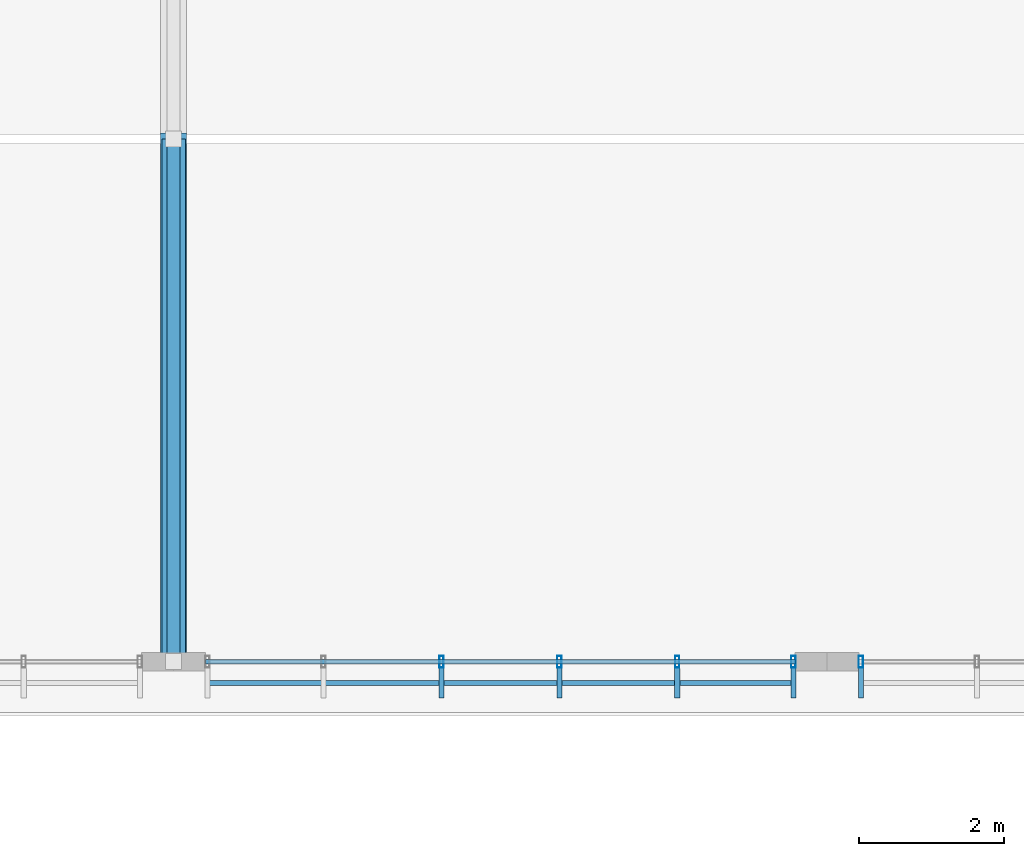
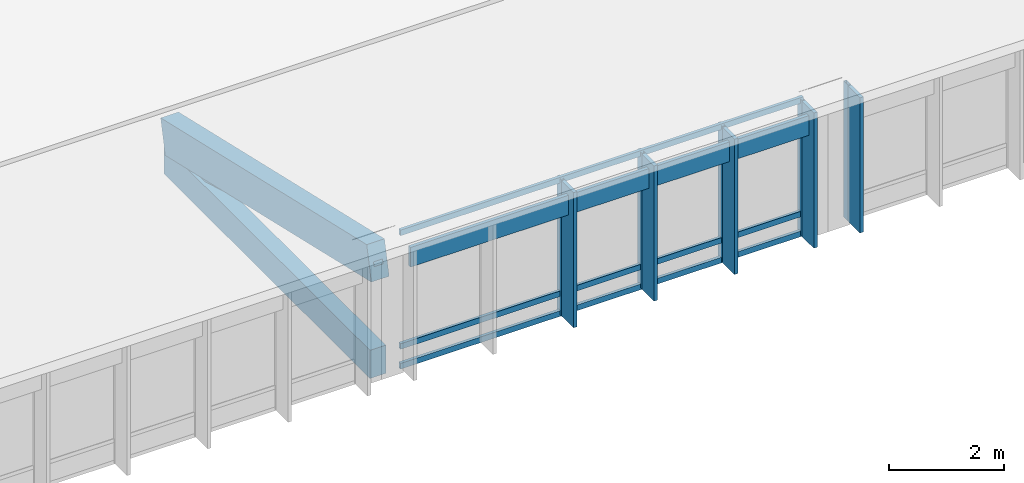
# One storey, part 49 of 182: 17 members, 2 elements without a shape of their own.
"""IFC4 building model written with IfcOpenShell, lengths in metres."""

from ifc_helpers import new_model, si_unit, direction, frame, origin, origin_2d, place, context, subcontext, project, spatial, rectangle, hollow_rectangle, extrude, material, material_profile, profile_set, type_object, element, aggregate, save


model = new_model("IFC4")

# Units and contexts
model_context = context("Model", 3, precision=1e-05, world=origin(), true_north=direction((0.0, 1.0)))
body_context = subcontext(model_context, "Body", "Model", "MODEL_VIEW")
ifc_project = project(units=[si_unit("LENGTHUNIT", "METRE"), si_unit("AREAUNIT", "SQUARE_METRE"), si_unit("VOLUMEUNIT", "CUBIC_METRE"), si_unit("PLANEANGLEUNIT", "RADIAN"), si_unit("MASSUNIT", "GRAM", prefix="KILO")], contexts=[model_context])

# Site, building, storey
site_placement = place(None, origin())
site = spatial("IfcSite", under=ifc_project, at=site_placement, CompositionType="ELEMENT")
building_placement = place(site_placement, origin())
building = spatial("IfcBuilding", under=site, at=building_placement, Name="Chiffa Square Polytechnic", CompositionType="ELEMENT")
storey_placement = place(building_placement, frame((0.0, 0.0, 9.60009765625)))
storey = spatial("IfcBuildingStorey", under=building, at=storey_placement, Name="L02", CompositionType="ELEMENT", Elevation=9.60009765625)

# Curtain wall, members
ifc_material_1 = material(Name="Aluminium EN AW-6060 T66 and glulam shading", Category="wood")
curtain_wall_type_1 = type_object("IfcCurtainWallType", Name="CW-VERT-360X380", PredefinedType="USERDEFINED", material=ifc_material_1)
curtain_wall_1_placement = place(storey_placement, origin())
curtain_wall_1 = element("IfcCurtainWall", 1, at=curtain_wall_1_placement, inside=storey, type_object=curtain_wall_type_1, Name="Curtain wall CW-V4-CLRS-05", ObjectType="CURTAIN WALL", PredefinedType="USERDEFINED")
ifc_material_2 = material(Name="Aluminium EN AW-6060 T66", Category="aluminium")
ifc_material_profile_1 = material_profile(ifc_material_2, hollow_rectangle(XDim=0.06005859375, YDim=0.159912109375, WallThickness=0.00390625, at=origin_2d()), Name="ALU 60x160x4")
ifc_profile_set_1 = profile_set([ifc_material_profile_1], Name="Aluminium EN AW-6060 T66")
member_type_1 = type_object("IfcMemberType", Name="CWM-ALU-65X150", PredefinedType="MULLION", material=ifc_profile_set_1)
member_1_placement = place(storey_placement, frame((88.2880859375, 21.60009765625, 0.039794921875), z_axis=(0.0, 0.0, 1.0), x_axis=(1.0, 0.0, 0.0)))
member_1 = element("IfcMember", 2, at=member_1_placement, type_object=member_type_1, Name="Curtain wall mullion CW-V4-CLRS-05-M02", PredefinedType="MULLION", context=body_context, shape_type="SweptSolid", body=[
    extrude(hollow_rectangle(XDim=0.06005859375, YDim=0.159912109375, WallThickness=0.00390625, at=origin_2d()), origin(), (0.0, 0.0, 1.0), 2.902099609375),
])
member_2_placement = place(storey_placement, frame((89.912109375, 21.60009765625, 0.039794921875), z_axis=(0.0, 0.0, 1.0), x_axis=(1.0, 0.0, 0.0)))
member_2 = element("IfcMember", 3, at=member_2_placement, type_object=member_type_1, Name="Curtain wall mullion CW-V4-CLRS-05-M03", PredefinedType="MULLION", context=body_context, shape_type="SweptSolid", body=[
    extrude(hollow_rectangle(XDim=0.06005859375, YDim=0.159912109375, WallThickness=0.00390625, at=origin_2d()), origin(), (0.0, 0.0, 1.0), 2.902099609375),
])
member_3_placement = place(storey_placement, frame((91.535888671875, 21.60009765625, 0.039794921875), z_axis=(0.0, 0.0, 1.0), x_axis=(1.0, 0.0, 0.0)))
member_3 = element("IfcMember", 4, at=member_3_placement, type_object=member_type_1, Name="Curtain wall mullion CW-V4-CLRS-05-M04", PredefinedType="MULLION", context=body_context, shape_type="SweptSolid", body=[
    extrude(hollow_rectangle(XDim=0.06005859375, YDim=0.159912109375, WallThickness=0.00390625, at=origin_2d()), origin(), (0.0, 0.0, 1.0), 2.902099609375),
])
member_4_placement = place(storey_placement, frame((93.135009765625, 21.60009765625, 0.039794921875), z_axis=(0.0, 0.0, 1.0), x_axis=(1.0, 0.0, 0.0)))
member_4 = element("IfcMember", 5, at=member_4_placement, type_object=member_type_1, Name="Curtain wall mullion CW-V4-CLRS-05-M05", PredefinedType="MULLION", context=body_context, shape_type="SweptSolid", body=[
    extrude(hollow_rectangle(XDim=0.06005859375, YDim=0.159912109375, WallThickness=0.00390625, at=origin_2d()), origin(), (0.0, 0.0, 1.0), 2.902099609375),
])

# Curtain wall, member
curtain_wall_type_2 = type_object("IfcCurtainWallType", Name="CW-VERT-480X380", PredefinedType="USERDEFINED", material=ifc_material_1)
curtain_wall_2_placement = place(storey_placement, origin())
curtain_wall_2 = element("IfcCurtainWall", 6, at=curtain_wall_2_placement, inside=storey, type_object=curtain_wall_type_2, Name="Curtain wall CW-V4-CLRS-06", ObjectType="CURTAIN WALL", PredefinedType="USERDEFINED")
member_5_placement = place(storey_placement, frame((94.06494140625, 21.60009765625, 0.039794921875), z_axis=(0.0, 0.0, 1.0), x_axis=(1.0, 0.0, 0.0)))
member_5 = element("IfcMember", 7, at=member_5_placement, type_object=member_type_1, Name="Curtain wall mullion CW-V4-CLRS-06-M00", PredefinedType="MULLION", context=body_context, shape_type="SweptSolid", body=[
    extrude(hollow_rectangle(XDim=0.06005859375, YDim=0.159912109375, WallThickness=0.00390625, at=origin_2d()), origin(), (0.0, 0.0, 1.0), 2.902099609375),
])

# Member
ifc_material_3 = material(Name="Glulam GL28h", Category="wood")
ifc_material_profile_2 = material_profile(ifc_material_3, rectangle(XDim=0.070068359375, YDim=0.419921875, at=origin_2d()), Name="GL28h 70x420")
ifc_profile_set_2 = profile_set([ifc_material_profile_2], Name="Glulam GL28h")
member_type_2 = type_object("IfcMemberType", Name="CWM-GL-70X420", PredefinedType="MULLION", material=ifc_profile_set_2)
member_6_placement = place(storey_placement, frame((88.2880859375, 21.30810546875, 0.0498046875), z_axis=(0.0, 0.0, 1.0), x_axis=(1.0, 0.0, 0.0)))
member_6 = element("IfcMember", 8, at=member_6_placement, type_object=member_type_2, Name="Exterior glulam solar fin CW-V4-CLRS-05-FN02", PredefinedType="MULLION", context=body_context, shape_type="SweptSolid", body=[
    extrude(rectangle(XDim=0.070068359375, YDim=0.419921875, at=origin_2d()), origin(), (0.0, 0.0, 1.0), 2.882080078125),
])

member_7_placement = place(storey_placement, frame((89.912109375, 21.30810546875, 0.0498046875), z_axis=(0.0, 0.0, 1.0), x_axis=(1.0, 0.0, 0.0)))
member_7 = element("IfcMember", 9, at=member_7_placement, type_object=member_type_2, Name="Exterior glulam solar fin CW-V4-CLRS-05-FN03", PredefinedType="MULLION", context=body_context, shape_type="SweptSolid", body=[
    extrude(rectangle(XDim=0.070068359375, YDim=0.419921875, at=origin_2d()), origin(), (0.0, 0.0, 1.0), 2.882080078125),
])

member_8_placement = place(storey_placement, frame((91.535888671875, 21.30810546875, 0.0498046875), z_axis=(0.0, 0.0, 1.0), x_axis=(1.0, 0.0, 0.0)))
member_8 = element("IfcMember", 10, at=member_8_placement, type_object=member_type_2, Name="Exterior glulam solar fin CW-V4-CLRS-05-FN04", PredefinedType="MULLION", context=body_context, shape_type="SweptSolid", body=[
    extrude(rectangle(XDim=0.070068359375, YDim=0.419921875, at=origin_2d()), origin(), (0.0, 0.0, 1.0), 2.882080078125),
])

member_9_placement = place(storey_placement, frame((93.135009765625, 21.30810546875, 0.0498046875), z_axis=(0.0, 0.0, 1.0), x_axis=(1.0, 0.0, 0.0)))
member_9 = element("IfcMember", 11, at=member_9_placement, type_object=member_type_2, Name="Exterior glulam solar fin CW-V4-CLRS-05-FN05", PredefinedType="MULLION", context=body_context, shape_type="SweptSolid", body=[
    extrude(rectangle(XDim=0.070068359375, YDim=0.419921875, at=origin_2d()), origin(), (0.0, 0.0, 1.0), 2.882080078125),
])

member_10_placement = place(storey_placement, frame((94.06494140625, 21.30810546875, 0.0498046875), z_axis=(0.0, 0.0, 1.0), x_axis=(1.0, 0.0, 0.0)))
member_10 = element("IfcMember", 12, at=member_10_placement, type_object=member_type_2, Name="Exterior glulam solar fin CW-V4-CLRS-06-FN00", PredefinedType="MULLION", context=body_context, shape_type="SweptSolid", body=[
    extrude(rectangle(XDim=0.070068359375, YDim=0.419921875, at=origin_2d()), origin(), (0.0, 0.0, 1.0), 2.882080078125),
])

aggregate(curtain_wall_2, [member_5, member_10])

ifc_material_profile_3 = material_profile(ifc_material_2, hollow_rectangle(XDim=0.06005859375, YDim=0.1201171875, WallThickness=0.00390625, at=origin_2d()), Name="ALU 60x120x4")
ifc_profile_set_3 = profile_set([ifc_material_profile_3], Name="Aluminium EN AW-6060 T66")
member_type_3 = type_object("IfcMemberType", Name="CWT-ALU-65X120", PredefinedType="USERDEFINED", material=ifc_profile_set_3)
member_11_placement = place(storey_placement, frame((85.0380859375, 21.60009765625, 0.06982421875), z_axis=(1.0, 0.0, 0.0), x_axis=(0.0, 1.0, 0.0)))
member_11 = element("IfcMember", 13, at=member_11_placement, type_object=member_type_3, Name="Curtain wall transom CW-V4-CLRS-05-T01", ObjectType="TRANSOM", PredefinedType="USERDEFINED", context=body_context, shape_type="SweptSolid", body=[
    extrude(hollow_rectangle(XDim=0.06005859375, YDim=0.1201171875, WallThickness=0.00390625, at=origin_2d()), origin(), (0.0, 0.0, 1.0), 8.1240234375),
])

member_12_placement = place(storey_placement, frame((85.0380859375, 21.60009765625, 0.489990234375), z_axis=(1.0, 0.0, 0.0), x_axis=(0.0, 1.0, 0.0)))
member_12 = element("IfcMember", 14, at=member_12_placement, type_object=member_type_3, Name="Curtain wall transom CW-V4-CLRS-05-T02", ObjectType="TRANSOM", PredefinedType="USERDEFINED", context=body_context, shape_type="SweptSolid", body=[
    extrude(hollow_rectangle(XDim=0.06005859375, YDim=0.1201171875, WallThickness=0.00390625, at=origin_2d()), origin(), (0.0, 0.0, 1.0), 8.1240234375),
])

member_13_placement = place(storey_placement, frame((85.0380859375, 21.60009765625, 2.911865234375), z_axis=(1.0, 0.0, 0.0), x_axis=(0.0, 1.0, 0.0)))
member_13 = element("IfcMember", 15, at=member_13_placement, type_object=member_type_3, Name="Curtain wall transom CW-V4-CLRS-05-T03", ObjectType="TRANSOM", PredefinedType="USERDEFINED", context=body_context, shape_type="SweptSolid", body=[
    extrude(hollow_rectangle(XDim=0.06005859375, YDim=0.1201171875, WallThickness=0.00390625, at=origin_2d()), origin(), (0.0, 0.0, 1.0), 8.1240234375),
])

ifc_material_profile_4 = material_profile(ifc_material_3, rectangle(XDim=0.070068359375, YDim=0.419921875, at=origin_2d()), Name="GL28h 70x420")
ifc_profile_set_4 = profile_set([ifc_material_profile_4], Name="Glulam GL28h")
member_type_4 = type_object("IfcMemberType", Name="CWT-GL-70X420", PredefinedType="USERDEFINED", material=ifc_profile_set_4)
member_14_placement = place(storey_placement, frame((85.06494140625, 21.30810546875, 2.56201171875), z_axis=(1.0, 0.0, 0.0), x_axis=(0.0, 1.0, 0.0)))
member_14 = element("IfcMember", 16, at=member_14_placement, type_object=member_type_4, Name="Exterior glulam brise-soleil CW-V4-CLRS-05-BS01", ObjectType="TRANSOM", PredefinedType="USERDEFINED", context=body_context, shape_type="SweptSolid", body=[
    extrude(rectangle(XDim=0.070068359375, YDim=0.419921875, at=origin_2d()), origin(), (0.0, 0.0, 1.0), 8.070068359375),
])

aggregate(curtain_wall_1, [member_1, member_6, member_2, member_7, member_3, member_8, member_4, member_9, member_11, member_12, member_13, member_14])

# Members
ifc_material_4 = material(Name="Glulam GL32c", Category="wood")
ifc_material_profile_5 = material_profile(ifc_material_4, rectangle(XDim=0.320068359375, YDim=0.60009765625, at=origin_2d()), Name="GL32c 320x600")
ifc_profile_set_5 = profile_set([ifc_material_profile_5], Name="Glulam GL32c")
member_type_5 = type_object("IfcMemberType", Name="MEM-CHORD-GL320", PredefinedType="CHORD", material=ifc_profile_set_5)
member_15_placement = place(storey_placement, frame((84.60009765625, 21.60009765625, 0.2998046875), z_axis=(0.0, 1.0, 0.0), x_axis=(-1.0, 0.0, 0.0)))
element("IfcMember", 17, at=member_15_placement, inside=storey, type_object=member_type_5, Name="Refectory butterfly bottom chord TCB-V4-S05", PredefinedType="CHORD", context=body_context, shape_type="SweptSolid", body=[
    extrude(rectangle(XDim=0.320068359375, YDim=0.60009765625, at=origin_2d()), origin(), (0.0, 0.0, 1.0), 7.199951171875),
])
ifc_material_profile_6 = material_profile(ifc_material_4, rectangle(XDim=0.360107421875, YDim=0.719970703125, at=origin_2d()), Name="GL32c 360x720")
ifc_profile_set_6 = profile_set([ifc_material_profile_6], Name="Glulam GL32c")
member_type_6 = type_object("IfcMemberType", Name="MEM-CHORD-GL360", PredefinedType="CHORD", material=ifc_profile_set_6)
member_16_placement = place(storey_placement, frame((84.60009765625, 21.60009765625, 2.4619140625), z_axis=(0.0, 0.974373930506, -0.224934309412), x_axis=(-1.0, 0.0, 0.0)))
element("IfcMember", 18, at=member_16_placement, inside=storey, type_object=member_type_6, Name="Refectory butterfly top chord TCT-V4-S05", PredefinedType="CHORD", context=body_context, shape_type="SweptSolid", body=[
    extrude(rectangle(XDim=0.360107421875, YDim=0.719970703125, at=origin_2d()), origin(), (0.0, 0.0, 1.0), 7.389404296875),
])
ifc_material_profile_7 = material_profile(ifc_material_3, rectangle(XDim=0.179931640625, YDim=0.179931640625, at=origin_2d()), Name="GL28h 180x180")
ifc_profile_set_7 = profile_set([ifc_material_profile_7], Name="Glulam GL28h")
member_type_7 = type_object("IfcMemberType", Name="MEM-WEB-GL180", PredefinedType="MEMBER", material=ifc_profile_set_7)
member_17_placement = place(storey_placement, frame((84.60009765625, 21.60009765625, 2.4619140625), z_axis=(0.0, 0.957748486613, -0.287607086821), x_axis=(-1.0, 0.0, 0.0)))
element("IfcMember", 19, at=member_17_placement, inside=storey, type_object=member_type_7, Name="Refectory butterfly diagonal TWD-V4-S05", PredefinedType="MEMBER", context=body_context, shape_type="SweptSolid", body=[
    extrude(rectangle(XDim=0.179931640625, YDim=0.179931640625, at=origin_2d()), origin(), (0.0, 0.0, 1.0), 7.517578125),
])

save(model, "model.ifc")
